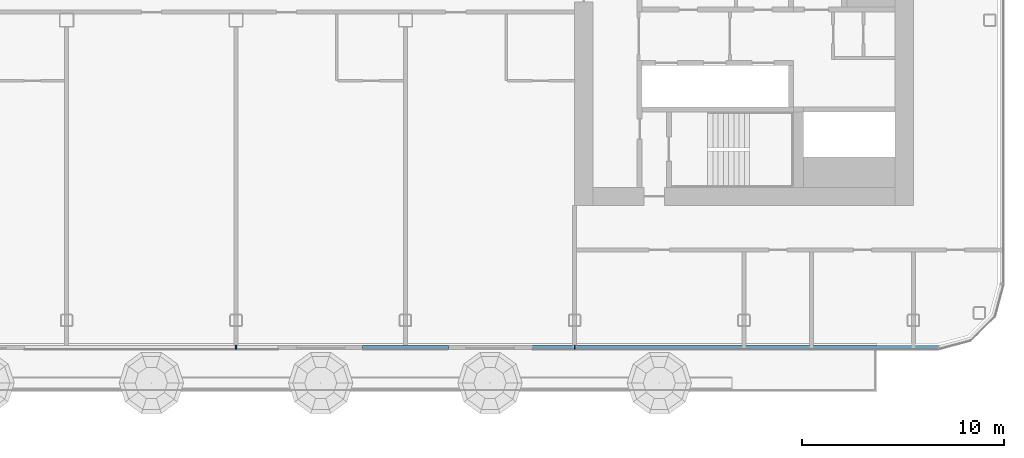
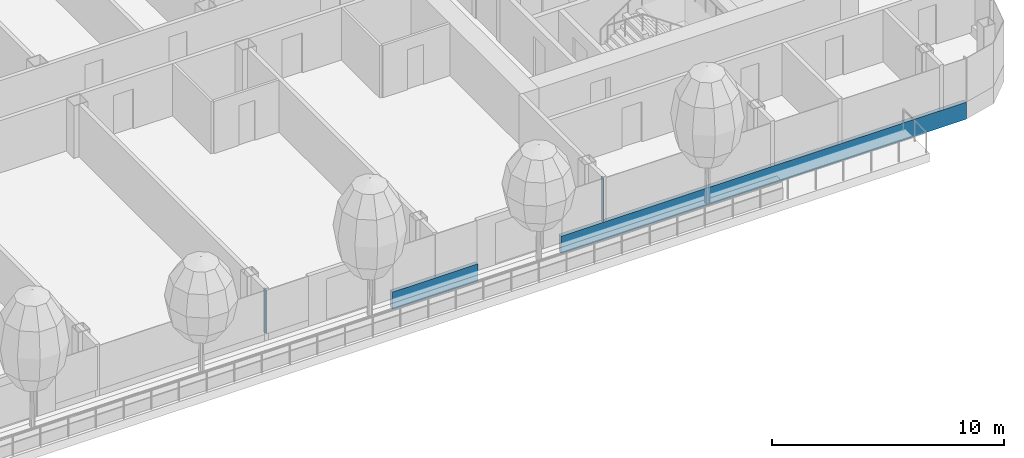
# One storey, part 4 of 28: 4 members, 1 element without a shape of its own.
"""IFC4 building model written with IfcOpenShell, lengths in metres."""

from ifc_helpers import new_model, si_unit, direction, frame, origin, origin_2d, place, context, subcontext, project, spatial, rectangle, extrude, material, layer, layer_set, material_profile, profile_set, type_object, element, aggregate, save


model = new_model("IFC4")

# Units and contexts
model_context = context("Model", 3, precision=1e-05, world=origin(), true_north=direction((0.0, 1.0)))
body_context = subcontext(model_context, "Body", "Model", "MODEL_VIEW")
ifc_project = project(units=[si_unit("LENGTHUNIT", "METRE"), si_unit("AREAUNIT", "SQUARE_METRE"), si_unit("VOLUMEUNIT", "CUBIC_METRE"), si_unit("PLANEANGLEUNIT", "RADIAN"), si_unit("MASSUNIT", "GRAM", prefix="KILO")], contexts=[model_context])

# Site, building, storey
site_placement = place(None, origin())
site = spatial("IfcSite", under=ifc_project, at=site_placement, CompositionType="ELEMENT")
building_placement = place(site_placement, origin())
building = spatial("IfcBuilding", under=site, at=building_placement, Name="Hakoniwa Tower and Hamabe Station Hall", CompositionType="ELEMENT")
storey_placement = place(building_placement, frame((0.0, 0.0, 218.60009765625)))
storey = spatial("IfcBuildingStorey", under=building, at=storey_placement, Name="L62", CompositionType="ELEMENT", Elevation=218.60009765625)

# Curtain wall, members
ifc_material_1 = material(Name="Dark low-e laminated glass", Category="glass")
ifc_layer = layer(ifc_material_1, 0.199951171875)
ifc_layer_set = layer_set([ifc_layer], Name="CW-1 UNITISED GUEST")
curtain_wall_type = type_object("IfcCurtainWallType", Name="CW-1 UNITISED GUEST", PredefinedType="NOTDEFINED", material=ifc_layer_set)
curtain_wall_placement = place(storey_placement, origin())
curtain_wall = element("IfcCurtainWall", 1, at=curtain_wall_placement, inside=storey, type_object=curtain_wall_type, Name="CW-1 curtain wall", PredefinedType="NOTDEFINED")
ifc_material_2 = material(Name="Aluminium 6063-T5 black anodised", Category="aluminium")
ifc_material_profile_1 = material_profile(ifc_material_2, rectangle(XDim=0.199951171875, YDim=0.89990234375, at=origin_2d()), Name="CW SLAB-EDGE BAND 900X200")
ifc_profile_set_1 = profile_set([ifc_material_profile_1], Name="Aluminium 6063-T5 black anodised")
member_type_1 = type_object("IfcMemberType", Name="CW SLAB-EDGE BAND 900X200", PredefinedType="USERDEFINED", material=ifc_profile_set_1)
member_1_placement = place(storey_placement, frame((6.27001953125, -15.449951171875, -0.10009765625), z_axis=(1.0, 0.0, 0.0), x_axis=(0.0, 1.0, 0.0)))
member_1 = element("IfcMember", 2, at=member_1_placement, type_object=member_type_1, Name="CW-1 transom", ObjectType="TRANSOM", PredefinedType="USERDEFINED", context=body_context, shape_type="SweptSolid", body=[
    extrude(rectangle(XDim=0.199951171875, YDim=0.89990234375, at=origin_2d()), origin(), (0.0, 0.0, 1.0), 4.260009765625),
])
member_2_placement = place(storey_placement, frame((14.669921875, -15.449951171875, -0.10009765625), z_axis=(1.0, 0.0, 0.0), x_axis=(0.0, 1.0, 0.0)))
member_2 = element("IfcMember", 3, at=member_2_placement, type_object=member_type_1, Name="CW-1 transom", ObjectType="TRANSOM", PredefinedType="USERDEFINED", context=body_context, shape_type="SweptSolid", body=[
    extrude(rectangle(XDim=0.199951171875, YDim=0.89990234375, at=origin_2d()), origin(), (0.0, 0.0, 1.0), 20.169677734375),
])
ifc_material_3 = material(Name="Aluminium 6063-T5 black anodised", Category="aluminium")
ifc_material_profile_2 = material_profile(ifc_material_3, rectangle(XDim=0.06005859375, YDim=0.179931640625, at=origin_2d()), Name="CW-1 MULLION 60X180")
ifc_profile_set_2 = profile_set([ifc_material_profile_2], Name="Aluminium 6063-T5 black anodised")
member_type_2 = type_object("IfcMemberType", Name="CW-1 MULLION 60X180", PredefinedType="MULLION", material=ifc_profile_set_2)
member_3_placement = place(storey_placement, frame((0.0, -15.431884765625, 0.349853515625), z_axis=(0.0, 0.0, 1.0), x_axis=(1.0, 0.0, 0.0)))
member_3 = element("IfcMember", 4, at=member_3_placement, type_object=member_type_2, Name="CW-1 mullion", PredefinedType="MULLION", context=body_context, shape_type="SweptSolid", body=[
    extrude(rectangle(XDim=0.06005859375, YDim=0.179931640625, at=origin_2d()), origin(), (0.0, 0.0, 1.0), 2.300048828125),
])
member_4_placement = place(storey_placement, frame((16.800048828125, -15.431884765625, 0.349853515625), z_axis=(0.0, 0.0, 1.0), x_axis=(1.0, 0.0, 0.0)))
member_4 = element("IfcMember", 5, at=member_4_placement, type_object=member_type_2, Name="CW-1 mullion", PredefinedType="MULLION", context=body_context, shape_type="SweptSolid", body=[
    extrude(rectangle(XDim=0.06005859375, YDim=0.179931640625, at=origin_2d()), origin(), (0.0, 0.0, 1.0), 2.300048828125),
])
aggregate(curtain_wall, [member_3, member_4, member_1, member_2])

save(model, "model.ifc")
